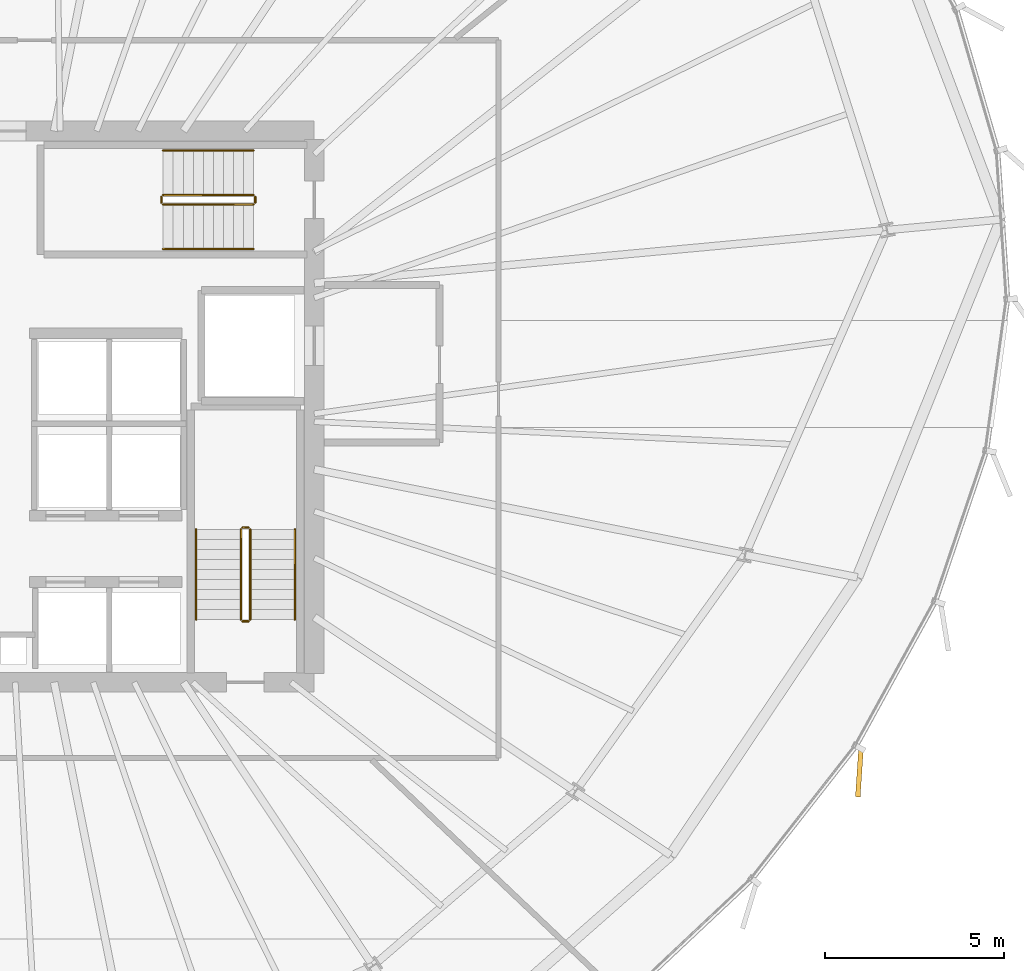
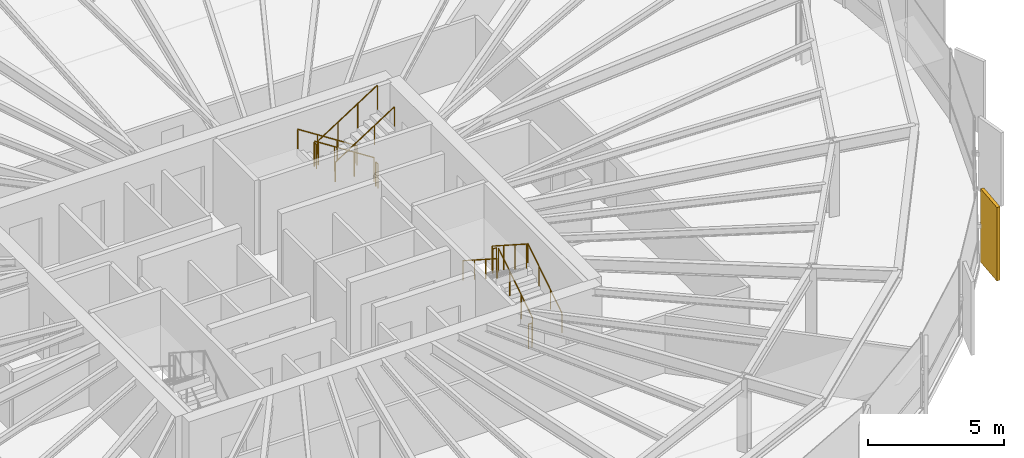
# One storey, part 33 of 34: 12 railings, 1 covering.
"""IFC4 building model written with IfcOpenShell, lengths in metres."""

from ifc_helpers import new_model, si_unit, direction, frame, origin, origin_2d, place, context, subcontext, project, spatial, rectangle, circle, extrude, source, transform, mapped, material, layer, layer_set, type_object, element, save


model = new_model("IFC4")

# Units and contexts
model_context = context("Model", 3, precision=1e-05, world=origin(), true_north=direction((0.0, 1.0)))
body_context = subcontext(model_context, "Body", "Model", "MODEL_VIEW")
ifc_project = project(units=[si_unit("LENGTHUNIT", "METRE"), si_unit("AREAUNIT", "SQUARE_METRE"), si_unit("VOLUMEUNIT", "CUBIC_METRE"), si_unit("PLANEANGLEUNIT", "RADIAN"), si_unit("MASSUNIT", "GRAM", prefix="KILO"), si_unit("THERMODYNAMICTEMPERATUREUNIT", "KELVIN")], contexts=[model_context])

# Site, building, storey
site_placement = place(None, origin())
site = spatial("IfcSite", under=ifc_project, at=site_placement, CompositionType="ELEMENT")
building_placement = place(site_placement, origin())
building = spatial("IfcBuilding", under=site, at=building_placement, Name="Kethvar Cultural Tower", CompositionType="ELEMENT")
storey_placement = place(building_placement, frame((0.0, 0.0, 125.199951171875)))
storey = spatial("IfcBuildingStorey", under=building, at=storey_placement, Name="L31", CompositionType="ELEMENT", Elevation=125.199951171875)

# Railings
ifc_material_1 = material(Name="Steel S355J2", Category="steel")
railing_type_1 = type_object("IfcRailingType", Name="RL-STAIR-GUARD", PredefinedType="BALUSTRADE", material=ifc_material_1)
railing_1_placement = place(storey_placement, frame((53.81005859375, 21.85009765625, 0.179931640625)))
element("IfcRailing", 1, at=railing_1_placement, inside=storey, type_object=railing_type_1, Name="L31 ST-02 stair guard 1", PredefinedType="BALUSTRADE", context=body_context, shape_type="SweptSolid", body=[
    extrude(circle(Radius=0.02392578125, at=origin_2d()), frame((0.0, 0.0, 1.09619140625), z_axis=(0.0, 0.841162588446, 0.540782303519), x_axis=(-1.0, 0.0, 0.0)), (0.0, 0.0, 1.0), 2.995849609375),
    extrude(circle(Radius=0.02099609375, at=origin_2d()), origin(), (0.0, 0.0, 1.0), 1.072021484375),
    extrude(circle(Radius=0.02099609375, at=origin_2d()), frame((0.0, 0.840087890625, 0.5400390625)), (0.0, 0.0, 1.0), 1.072021484375),
    extrude(circle(Radius=0.02099609375, at=origin_2d()), frame((0.0, 1.679931640625, 1.080078125)), (0.0, 0.0, 1.0), 1.072021484375),
    extrude(circle(Radius=0.02099609375, at=origin_2d()), frame((0.0, 2.52001953125, 1.6201171875)), (0.0, 0.0, 1.0), 1.072021484375),
])
railing_2_placement = place(storey_placement, frame((53.760009765625, 24.419921875, 1.800048828125)))
element("IfcRailing", 2, at=railing_2_placement, inside=storey, type_object=railing_type_1, Name="L31 ST-02 stair guard 2", PredefinedType="BALUSTRADE", context=body_context, shape_type="SweptSolid", body=[
    extrude(circle(Radius=0.02392578125, at=origin_2d()), frame((0.0, 0.0, 1.09619140625), z_axis=(-1.0, 0.0, 0.0), x_axis=(0.0, -1.0, 0.0)), (0.0, 0.0, 1.0), 0.159912109375),
    extrude(circle(Radius=0.02099609375, at=origin_2d()), origin(), (0.0, 0.0, 1.0), 1.072021484375),
    extrude(circle(Radius=0.02099609375, at=origin_2d()), frame((-0.159912109375, 0.0, 0.0)), (0.0, 0.0, 1.0), 1.072021484375),
])
railing_3_placement = place(storey_placement, frame((53.550048828125, 24.3701171875, 1.97998046875)))
element("IfcRailing", 3, at=railing_3_placement, inside=storey, type_object=railing_type_1, Name="L31 ST-02 stair guard 3", PredefinedType="BALUSTRADE", context=body_context, shape_type="SweptSolid", body=[
    extrude(circle(Radius=0.02392578125, at=origin_2d()), frame((0.0, 0.0, 1.09619140625), z_axis=(0.0, -0.841162588446, 0.540782303519), x_axis=(1.0, 0.0, 0.0)), (0.0, 0.0, 1.0), 2.995849609375),
    extrude(circle(Radius=0.02099609375, at=origin_2d()), origin(), (0.0, 0.0, 1.0), 1.072021484375),
    extrude(circle(Radius=0.02099609375, at=origin_2d()), frame((0.0, -0.840087890625, 0.5400390625)), (0.0, 0.0, 1.0), 1.072021484375),
    extrude(circle(Radius=0.02099609375, at=origin_2d()), frame((0.0, -1.679931640625, 1.080078125)), (0.0, 0.0, 1.0), 1.072021484375),
    extrude(circle(Radius=0.02099609375, at=origin_2d()), frame((0.0, -2.52001953125, 1.6201171875)), (0.0, 0.0, 1.0), 1.072021484375),
])
railing_4_placement = place(storey_placement, frame((53.760009765625, 21.800048828125, 0.0)))
element("IfcRailing", 4, at=railing_4_placement, inside=storey, type_object=railing_type_1, Name="L31 ST-02 stair guard 4", PredefinedType="BALUSTRADE", context=body_context, shape_type="SweptSolid", body=[
    extrude(circle(Radius=0.02392578125, at=origin_2d()), frame((0.0, 0.0, 1.09619140625), z_axis=(-1.0, 0.0, 0.0), x_axis=(0.0, -1.0, 0.0)), (0.0, 0.0, 1.0), 0.159912109375),
    extrude(circle(Radius=0.02099609375, at=origin_2d()), origin(), (0.0, 0.0, 1.0), 1.072021484375),
    extrude(circle(Radius=0.02099609375, at=origin_2d()), frame((-0.159912109375, 0.0, 0.0)), (0.0, 0.0, 1.0), 1.072021484375),
])
railing_5_placement = place(storey_placement, frame((53.89990234375, 33.7099609375, 0.179931640625)))
element("IfcRailing", 5, at=railing_5_placement, inside=storey, type_object=railing_type_1, Name="L31 ST-03 stair guard 1", PredefinedType="BALUSTRADE", context=body_context, shape_type="SweptSolid", body=[
    extrude(circle(Radius=0.02392578125, at=origin_2d()), frame((0.0, 0.0, 1.09619140625), z_axis=(-0.841162588446, 0.0, 0.540782303519), x_axis=(0.0, -1.0, 0.0)), (0.0, 0.0, 1.0), 2.995849609375),
    extrude(circle(Radius=0.02099609375, at=origin_2d()), origin(), (0.0, 0.0, 1.0), 1.072021484375),
    extrude(circle(Radius=0.02099609375, at=origin_2d()), frame((-0.840087890625, 0.0, 0.5400390625)), (0.0, 0.0, 1.0), 1.072021484375),
    extrude(circle(Radius=0.02099609375, at=origin_2d()), frame((-1.679931640625, 0.0, 1.080078125)), (0.0, 0.0, 1.0), 1.072021484375),
    extrude(circle(Radius=0.02099609375, at=origin_2d()), frame((-2.52001953125, 0.0, 1.6201171875)), (0.0, 0.0, 1.0), 1.072021484375),
])
railing_6_placement = place(storey_placement, frame((51.330078125, 33.659912109375, 1.800048828125)))
element("IfcRailing", 6, at=railing_6_placement, inside=storey, type_object=railing_type_1, Name="L31 ST-03 stair guard 2", PredefinedType="BALUSTRADE", context=body_context, shape_type="SweptSolid", body=[
    extrude(circle(Radius=0.02392578125, at=origin_2d()), frame((0.0, 0.0, 1.09619140625), z_axis=(0.0, -1.0, 0.0), x_axis=(1.0, 0.0, 0.0)), (0.0, 0.0, 1.0), 0.159912109375),
    extrude(circle(Radius=0.02099609375, at=origin_2d()), origin(), (0.0, 0.0, 1.0), 1.072021484375),
    extrude(circle(Radius=0.02099609375, at=origin_2d()), frame((0.0, -0.159912109375, 0.0)), (0.0, 0.0, 1.0), 1.072021484375),
])
railing_7_placement = place(storey_placement, frame((51.3798828125, 33.449951171875, 1.97998046875)))
element("IfcRailing", 7, at=railing_7_placement, inside=storey, type_object=railing_type_1, Name="L31 ST-03 stair guard 3", PredefinedType="BALUSTRADE", context=body_context, shape_type="SweptSolid", body=[
    extrude(circle(Radius=0.02392578125, at=origin_2d()), frame((0.0, 0.0, 1.09619140625), z_axis=(0.841162588446, 0.0, 0.540782303519), x_axis=(0.0, 1.0, 0.0)), (0.0, 0.0, 1.0), 2.995849609375),
    extrude(circle(Radius=0.02099609375, at=origin_2d()), origin(), (0.0, 0.0, 1.0), 1.072021484375),
    extrude(circle(Radius=0.02099609375, at=origin_2d()), frame((0.840087890625, 0.0, 0.5400390625)), (0.0, 0.0, 1.0), 1.072021484375),
    extrude(circle(Radius=0.02099609375, at=origin_2d()), frame((1.679931640625, 0.0, 1.080078125)), (0.0, 0.0, 1.0), 1.072021484375),
    extrude(circle(Radius=0.02099609375, at=origin_2d()), frame((2.52001953125, 0.0, 1.6201171875)), (0.0, 0.0, 1.0), 1.072021484375),
])
railing_8_placement = place(storey_placement, frame((53.949951171875, 33.659912109375, 0.0)))
element("IfcRailing", 8, at=railing_8_placement, inside=storey, type_object=railing_type_1, Name="L31 ST-03 stair guard 4", PredefinedType="BALUSTRADE", context=body_context, shape_type="SweptSolid", body=[
    extrude(circle(Radius=0.02392578125, at=origin_2d()), frame((0.0, 0.0, 1.09619140625), z_axis=(0.0, -1.0, 0.0), x_axis=(1.0, 0.0, 0.0)), (0.0, 0.0, 1.0), 0.159912109375),
    extrude(circle(Radius=0.02099609375, at=origin_2d()), origin(), (0.0, 0.0, 1.0), 1.072021484375),
    extrude(circle(Radius=0.02099609375, at=origin_2d()), frame((0.0, -0.159912109375, 0.0)), (0.0, 0.0, 1.0), 1.072021484375),
])
railing_type_2 = type_object("IfcRailingType", Name="RL-STAIR-HANDRAIL", PredefinedType="HANDRAIL", material=ifc_material_1)
railing_9_placement = place(storey_placement, frame((55.06005859375, 21.85009765625, 0.179931640625)))
element("IfcRailing", 9, at=railing_9_placement, inside=storey, type_object=railing_type_2, Name="L31 ST-02 stair handrail 1", PredefinedType="HANDRAIL", context=body_context, shape_type="SweptSolid", body=[
    extrude(circle(Radius=0.02392578125, at=origin_2d()), frame((0.0, 0.0, 0.8759765625), z_axis=(0.0, 0.841162588446, 0.540782303519), x_axis=(-1.0, 0.0, 0.0)), (0.0, 0.0, 1.0), 2.995849609375),
    extrude(circle(Radius=0.02099609375, at=origin_2d()), origin(), (0.0, 0.0, 1.0), 0.851806640625),
    extrude(circle(Radius=0.02099609375, at=origin_2d()), frame((0.0, 0.840087890625, 0.5400390625)), (0.0, 0.0, 1.0), 0.851806640625),
    extrude(circle(Radius=0.02099609375, at=origin_2d()), frame((0.0, 1.679931640625, 1.080078125)), (0.0, 0.0, 1.0), 0.851806640625),
    extrude(circle(Radius=0.02099609375, at=origin_2d()), frame((0.0, 2.52001953125, 1.6201171875)), (0.0, 0.0, 1.0), 0.851806640625),
])
railing_10_placement = place(storey_placement, frame((52.300048828125, 24.3701171875, 1.97998046875)))
element("IfcRailing", 10, at=railing_10_placement, inside=storey, type_object=railing_type_2, Name="L31 ST-02 stair handrail 2", PredefinedType="HANDRAIL", context=body_context, shape_type="SweptSolid", body=[
    extrude(circle(Radius=0.02392578125, at=origin_2d()), frame((0.0, 0.0, 0.8759765625), z_axis=(0.0, -0.841162588446, 0.540782303519), x_axis=(1.0, 0.0, 0.0)), (0.0, 0.0, 1.0), 2.995849609375),
    extrude(circle(Radius=0.02099609375, at=origin_2d()), origin(), (0.0, 0.0, 1.0), 0.851806640625),
    extrude(circle(Radius=0.02099609375, at=origin_2d()), frame((0.0, -0.840087890625, 0.5400390625)), (0.0, 0.0, 1.0), 0.851806640625),
    extrude(circle(Radius=0.02099609375, at=origin_2d()), frame((0.0, -1.679931640625, 1.080078125)), (0.0, 0.0, 1.0), 0.851806640625),
    extrude(circle(Radius=0.02099609375, at=origin_2d()), frame((0.0, -2.52001953125, 1.6201171875)), (0.0, 0.0, 1.0), 0.851806640625),
])
railing_11_placement = place(storey_placement, frame((53.89990234375, 34.9599609375, 0.179931640625)))
element("IfcRailing", 11, at=railing_11_placement, inside=storey, type_object=railing_type_2, Name="L31 ST-03 stair handrail 1", PredefinedType="HANDRAIL", context=body_context, shape_type="SweptSolid", body=[
    extrude(circle(Radius=0.02392578125, at=origin_2d()), frame((0.0, 0.0, 0.8759765625), z_axis=(-0.841162588446, 0.0, 0.540782303519), x_axis=(0.0, -1.0, 0.0)), (0.0, 0.0, 1.0), 2.995849609375),
    extrude(circle(Radius=0.02099609375, at=origin_2d()), origin(), (0.0, 0.0, 1.0), 0.851806640625),
    extrude(circle(Radius=0.02099609375, at=origin_2d()), frame((-0.840087890625, 0.0, 0.5400390625)), (0.0, 0.0, 1.0), 0.851806640625),
    extrude(circle(Radius=0.02099609375, at=origin_2d()), frame((-1.679931640625, 0.0, 1.080078125)), (0.0, 0.0, 1.0), 0.851806640625),
    extrude(circle(Radius=0.02099609375, at=origin_2d()), frame((-2.52001953125, 0.0, 1.6201171875)), (0.0, 0.0, 1.0), 0.851806640625),
])
railing_12_placement = place(storey_placement, frame((51.3798828125, 32.199951171875, 1.97998046875)))
element("IfcRailing", 12, at=railing_12_placement, inside=storey, type_object=railing_type_2, Name="L31 ST-03 stair handrail 2", PredefinedType="HANDRAIL", context=body_context, shape_type="SweptSolid", body=[
    extrude(circle(Radius=0.02392578125, at=origin_2d()), frame((0.0, 0.0, 0.8759765625), z_axis=(0.841162588446, 0.0, 0.540782303519), x_axis=(0.0, 1.0, 0.0)), (0.0, 0.0, 1.0), 2.995849609375),
    extrude(circle(Radius=0.02099609375, at=origin_2d()), origin(), (0.0, 0.0, 1.0), 0.851806640625),
    extrude(circle(Radius=0.02099609375, at=origin_2d()), frame((0.840087890625, 0.0, 0.5400390625)), (0.0, 0.0, 1.0), 0.851806640625),
    extrude(circle(Radius=0.02099609375, at=origin_2d()), frame((1.679931640625, 0.0, 1.080078125)), (0.0, 0.0, 1.0), 0.851806640625),
    extrude(circle(Radius=0.02099609375, at=origin_2d()), frame((2.52001953125, 0.0, 1.6201171875)), (0.0, 0.0, 1.0), 0.851806640625),
])

# Covering
ifc_material_2 = material(Name="Extruded Architectural Terracotta", Category="masonry")
ifc_layer = layer(ifc_material_2, 0.135009765625, Name="Extruded Architectural Terracotta", Category="masonry")
ifc_layer_set = layer_set([ifc_layer], Name="Extruded Architectural Terracotta (135 mm)")
covering_type = type_object("IfcCoveringType", Name="Terracotta Facade Fin FIN-02", PredefinedType="CLADDING", material=ifc_layer_set)
shared_shape = source(origin(), body_context, "Body", "SweptSolid", [
    extrude(rectangle(XDim=1.35009765625, YDim=0.135009765625, at=origin_2d()), origin(), (0.0, 0.0, 1.0), 3.31005859375),
])
covering_placement = place(storey_placement, frame((70.83349609375, 17.5693359375, 0.02001953125), z_axis=(0.0, 0.0, 1.0), x_axis=(-0.066099750182, -0.997813020072, 0.0)))
element("IfcCovering", 13, at=covering_placement, inside=storey, type_object=covering_type, Name="L31 Vertical Terracotta Fin 6.2", PredefinedType="CLADDING", context=body_context, shape_type="MappedRepresentation", body=[
    mapped(shared_shape, transform((0.0, 0.0, 0.0), scale=1.0)),
])

save(model, "model.ifc")
